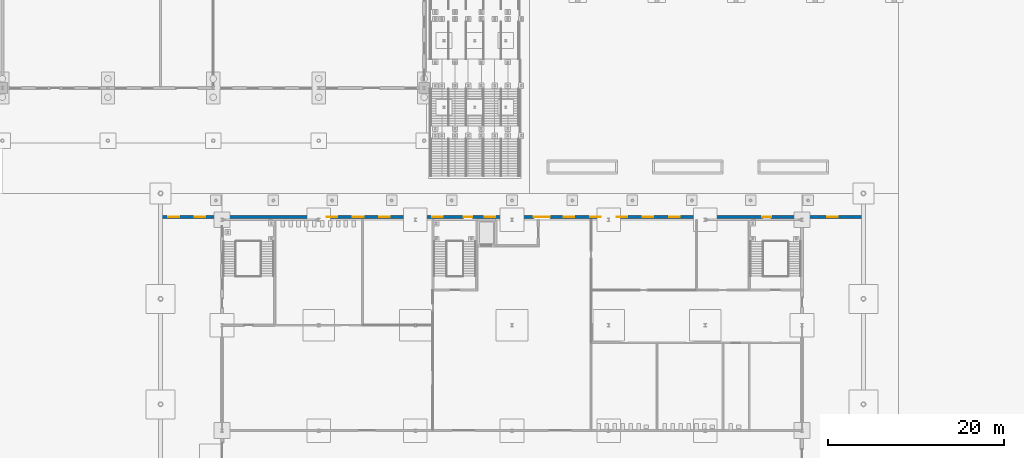
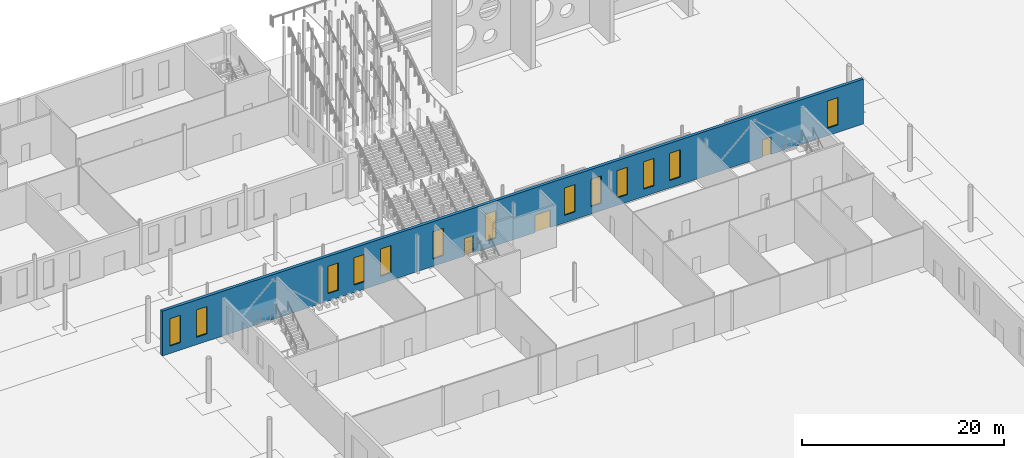
# One storey, part 72 of 132: 13 windows, 3 doors, 1 wall, 16 openings.
"""IFC4 building model written with IfcOpenShell, lengths in metres."""

from ifc_helpers import new_model, si_unit, direction, frame, frame_2d, origin, place, context, subcontext, project, spatial, rectangle, extrude, material, layer, layer_set, type_object, element, fill, save


model = new_model("IFC4")

# Units and contexts
model_context = context("Model", 3, precision=1e-05, world=origin(), true_north=direction((0.0, 1.0)))
body_context = subcontext(model_context, "Body", "Model", "MODEL_VIEW")
ifc_project = project(units=[si_unit("LENGTHUNIT", "METRE"), si_unit("AREAUNIT", "SQUARE_METRE"), si_unit("VOLUMEUNIT", "CUBIC_METRE"), si_unit("PLANEANGLEUNIT", "RADIAN"), si_unit("MASSUNIT", "GRAM", prefix="KILO")], contexts=[model_context])

# Site, building, storey
site_placement = place(None, origin())
site = spatial("IfcSite", under=ifc_project, at=site_placement, CompositionType="ELEMENT")
building_placement = place(site_placement, origin())
building = spatial("IfcBuilding", under=site, at=building_placement, Name="Ravi Spectrum Wholesale Market", CompositionType="ELEMENT")
storey_placement = place(building_placement, origin())
storey = spatial("IfcBuildingStorey", under=building, at=storey_placement, Name="L00", CompositionType="ELEMENT", Elevation=0.0)

# Wall, openings, doors, windows
ifc_material_1 = material(Name="Clinker brickwork", Category="masonry")
ifc_layer = layer(ifc_material_1, 0.340087890625)
ifc_layer_set = layer_set([ifc_layer], Name="Clinker brickwork")
wall_type = type_object("IfcWallType", Name="Brick 340 clinker", PredefinedType="SOLIDWALL", material=ifc_layer_set)
wall_placement = place(storey_placement, frame((30.0, 195.340087890625, 0.0), z_axis=(0.0, 0.0, 1.0), x_axis=(1.0, 0.0, 0.0)))
wall = element("IfcWall", 1, at=wall_placement, inside=storey, type_object=wall_type, Name="Hall gable wall", PredefinedType="SOLIDWALL", context=body_context, shape_type="SweptSolid", body=[
    extrude(rectangle(XDim=80.0, YDim=0.340087890625, at=frame_2d((40.0, 0.0))), origin(), (0.0, 0.0, 1.0), 5.39990234375),
])
opening_1_placement = place(wall_placement, frame((42.5, 0.0, 0.0)))
opening_1 = element("IfcOpeningElement", 2, at=opening_1_placement, cuts=wall, Name="Opening D145", PredefinedType="OPENING", context=body_context, shape_type="SweptSolid", body=[
    extrude(rectangle(XDim=1.800048828125, YDim=2.10009765625, at=frame_2d((0.89990234375, 1.050048828125))), frame((0.0, 0.179931640625, 0.0), z_axis=(0.0, -1.0, 0.0), x_axis=(1.0, 0.0, 0.0)), (0.0, 0.0, 1.0), 0.360107421875),
])
opening_2_placement = place(wall_placement, frame((34.5, 0.0, 0.0)))
opening_2 = element("IfcOpeningElement", 3, at=opening_2_placement, cuts=wall, Name="Opening D147", PredefinedType="OPENING", context=body_context, shape_type="SweptSolid", body=[
    extrude(rectangle(XDim=1.0, YDim=2.10009765625, at=frame_2d((0.5, 1.050048828125))), frame((0.0, 0.179931640625, 0.0), z_axis=(0.0, -1.0, 0.0), x_axis=(1.0, 0.0, 0.0)), (0.0, 0.0, 1.0), 0.360107421875),
])
opening_3_placement = place(wall_placement, frame((68.5, 0.0, 0.0)))
opening_3 = element("IfcOpeningElement", 4, at=opening_3_placement, cuts=wall, Name="Opening D162", PredefinedType="OPENING", context=body_context, shape_type="SweptSolid", body=[
    extrude(rectangle(XDim=1.0, YDim=2.10009765625, at=frame_2d((0.5, 1.050048828125))), frame((0.0, 0.179931640625, 0.0), z_axis=(0.0, -1.0, 0.0), x_axis=(1.0, 0.0, 0.0)), (0.0, 0.0, 1.0), 0.360107421875),
])
opening_4_placement = place(wall_placement, frame((0.89990234375, 0.0, 0.89990234375)))
opening_4 = element("IfcOpeningElement", 5, at=opening_4_placement, cuts=wall, Name="Opening W1040", PredefinedType="OPENING", context=body_context, shape_type="SweptSolid", body=[
    extrude(rectangle(XDim=1.199951171875, YDim=3.300048828125, at=frame_2d((0.60009765625, 1.64990234375))), frame((0.0, 0.179931640625, 0.0), z_axis=(0.0, -1.0, 0.0), x_axis=(1.0, 0.0, 0.0)), (0.0, 0.0, 1.0), 0.360107421875),
])
opening_5_placement = place(wall_placement, frame((3.89990234375, 0.0, 0.89990234375)))
opening_5 = element("IfcOpeningElement", 6, at=opening_5_placement, cuts=wall, Name="Opening W1041", PredefinedType="OPENING", context=body_context, shape_type="SweptSolid", body=[
    extrude(rectangle(XDim=1.199951171875, YDim=3.300048828125, at=frame_2d((0.60009765625, 1.64990234375))), frame((0.0, 0.179931640625, 0.0), z_axis=(0.0, -1.0, 0.0), x_axis=(1.0, 0.0, 0.0)), (0.0, 0.0, 1.0), 0.360107421875),
])
opening_6_placement = place(wall_placement, frame((18.89990234375, 0.0, 0.89990234375)))
opening_6 = element("IfcOpeningElement", 7, at=opening_6_placement, cuts=wall, Name="Opening W1045", PredefinedType="OPENING", context=body_context, shape_type="SweptSolid", body=[
    extrude(rectangle(XDim=1.199951171875, YDim=3.300048828125, at=frame_2d((0.60009765625, 1.64990234375))), frame((0.0, 0.179931640625, 0.0), z_axis=(0.0, -1.0, 0.0), x_axis=(1.0, 0.0, 0.0)), (0.0, 0.0, 1.0), 0.360107421875),
])
opening_7_placement = place(wall_placement, frame((21.89990234375, 0.0, 0.89990234375)))
opening_7 = element("IfcOpeningElement", 8, at=opening_7_placement, cuts=wall, Name="Opening W1046", PredefinedType="OPENING", context=body_context, shape_type="SweptSolid", body=[
    extrude(rectangle(XDim=1.199951171875, YDim=3.300048828125, at=frame_2d((0.60009765625, 1.64990234375))), frame((0.0, 0.179931640625, 0.0), z_axis=(0.0, -1.0, 0.0), x_axis=(1.0, 0.0, 0.0)), (0.0, 0.0, 1.0), 0.360107421875),
])
opening_8_placement = place(wall_placement, frame((24.89990234375, 0.0, 0.89990234375)))
opening_8 = element("IfcOpeningElement", 9, at=opening_8_placement, cuts=wall, Name="Opening W1047", PredefinedType="OPENING", context=body_context, shape_type="SweptSolid", body=[
    extrude(rectangle(XDim=1.199951171875, YDim=3.300048828125, at=frame_2d((0.60009765625, 1.64990234375))), frame((0.0, 0.179931640625, 0.0), z_axis=(0.0, -1.0, 0.0), x_axis=(1.0, 0.0, 0.0)), (0.0, 0.0, 1.0), 0.360107421875),
])
opening_9_placement = place(wall_placement, frame((30.89990234375, 0.0, 0.89990234375)))
opening_9 = element("IfcOpeningElement", 10, at=opening_9_placement, cuts=wall, Name="Opening W1048", PredefinedType="OPENING", context=body_context, shape_type="SweptSolid", body=[
    extrude(rectangle(XDim=1.199951171875, YDim=3.300048828125, at=frame_2d((0.60009765625, 1.64990234375))), frame((0.0, 0.179931640625, 0.0), z_axis=(0.0, -1.0, 0.0), x_axis=(1.0, 0.0, 0.0)), (0.0, 0.0, 1.0), 0.360107421875),
])
opening_10_placement = place(wall_placement, frame((36.89990234375, 0.0, 0.89990234375)))
opening_10 = element("IfcOpeningElement", 11, at=opening_10_placement, cuts=wall, Name="Opening W1049", PredefinedType="OPENING", context=body_context, shape_type="SweptSolid", body=[
    extrude(rectangle(XDim=1.199951171875, YDim=3.300048828125, at=frame_2d((0.60009765625, 1.64990234375))), frame((0.0, 0.179931640625, 0.0), z_axis=(0.0, -1.0, 0.0), x_axis=(1.0, 0.0, 0.0)), (0.0, 0.0, 1.0), 0.360107421875),
])
opening_11_placement = place(wall_placement, frame((45.89990234375, 0.0, 0.89990234375)))
opening_11 = element("IfcOpeningElement", 12, at=opening_11_placement, cuts=wall, Name="Opening W1050", PredefinedType="OPENING", context=body_context, shape_type="SweptSolid", body=[
    extrude(rectangle(XDim=1.199951171875, YDim=3.300048828125, at=frame_2d((0.60009765625, 1.64990234375))), frame((0.0, 0.179931640625, 0.0), z_axis=(0.0, -1.0, 0.0), x_axis=(1.0, 0.0, 0.0)), (0.0, 0.0, 1.0), 0.360107421875),
])
opening_12_placement = place(wall_placement, frame((48.89990234375, 0.0, 0.89990234375)))
opening_12 = element("IfcOpeningElement", 13, at=opening_12_placement, cuts=wall, Name="Opening W1051", PredefinedType="OPENING", context=body_context, shape_type="SweptSolid", body=[
    extrude(rectangle(XDim=1.199951171875, YDim=3.300048828125, at=frame_2d((0.60009765625, 1.64990234375))), frame((0.0, 0.179931640625, 0.0), z_axis=(0.0, -1.0, 0.0), x_axis=(1.0, 0.0, 0.0)), (0.0, 0.0, 1.0), 0.360107421875),
])
opening_13_placement = place(wall_placement, frame((51.89990234375, 0.0, 0.89990234375)))
opening_13 = element("IfcOpeningElement", 14, at=opening_13_placement, cuts=wall, Name="Opening W1052", PredefinedType="OPENING", context=body_context, shape_type="SweptSolid", body=[
    extrude(rectangle(XDim=1.199951171875, YDim=3.300048828125, at=frame_2d((0.60009765625, 1.64990234375))), frame((0.0, 0.179931640625, 0.0), z_axis=(0.0, -1.0, 0.0), x_axis=(1.0, 0.0, 0.0)), (0.0, 0.0, 1.0), 0.360107421875),
])
opening_14_placement = place(wall_placement, frame((54.89990234375, 0.0, 0.89990234375)))
opening_14 = element("IfcOpeningElement", 15, at=opening_14_placement, cuts=wall, Name="Opening W1053", PredefinedType="OPENING", context=body_context, shape_type="SweptSolid", body=[
    extrude(rectangle(XDim=1.199951171875, YDim=3.300048828125, at=frame_2d((0.60009765625, 1.64990234375))), frame((0.0, 0.179931640625, 0.0), z_axis=(0.0, -1.0, 0.0), x_axis=(1.0, 0.0, 0.0)), (0.0, 0.0, 1.0), 0.360107421875),
])
opening_15_placement = place(wall_placement, frame((57.89990234375, 0.0, 0.89990234375)))
opening_15 = element("IfcOpeningElement", 16, at=opening_15_placement, cuts=wall, Name="Opening W1054", PredefinedType="OPENING", context=body_context, shape_type="SweptSolid", body=[
    extrude(rectangle(XDim=1.199951171875, YDim=3.300048828125, at=frame_2d((0.60009765625, 1.64990234375))), frame((0.0, 0.179931640625, 0.0), z_axis=(0.0, -1.0, 0.0), x_axis=(1.0, 0.0, 0.0)), (0.0, 0.0, 1.0), 0.360107421875),
])
opening_16_placement = place(wall_placement, frame((75.89990234375, 0.0, 0.89990234375)))
opening_16 = element("IfcOpeningElement", 17, at=opening_16_placement, cuts=wall, Name="Opening W1056", PredefinedType="OPENING", context=body_context, shape_type="SweptSolid", body=[
    extrude(rectangle(XDim=1.199951171875, YDim=3.300048828125, at=frame_2d((0.60009765625, 1.64990234375))), frame((0.0, 0.179931640625, 0.0), z_axis=(0.0, -1.0, 0.0), x_axis=(1.0, 0.0, 0.0)), (0.0, 0.0, 1.0), 0.360107421875),
])
ifc_material_2 = material(Name="Steel door", Category="steel")
door_type_1 = type_object("IfcDoorType", Name="Double leaf door 1800 x 2100", OperationType="DOUBLE_DOOR_SINGLE_SWING", PredefinedType="DOOR", material=ifc_material_2)
door_1_placement = place(opening_1_placement, origin())
door_1 = element("IfcDoor", 18, at=door_1_placement, inside=storey, type_object=door_type_1, Name="Door D145", OperationType="DOUBLE_DOOR_SINGLE_SWING", OverallHeight=2.10009765625, OverallWidth=1.800048828125, PredefinedType="DOOR", context=body_context, shape_type="SweptSolid", body=[
    extrude(rectangle(XDim=1.800048828125, YDim=2.10009765625, at=frame_2d((0.89990234375, 1.050048828125))), frame((0.0, 0.02490234375, 0.0), z_axis=(0.0, -1.0, 0.0), x_axis=(1.0, 0.0, 0.0)), (0.0, 0.0, 1.0), 0.050048828125),
])
fill(opening_1, door_1)
ifc_material_3 = material(Name="Steel door", Category="steel")
door_type_2 = type_object("IfcDoorType", Name="Pedestrian exit door 1000 x 2100", OperationType="SINGLE_SWING_LEFT", PredefinedType="DOOR", material=ifc_material_3)
door_2_placement = place(opening_2_placement, origin())
door_2 = element("IfcDoor", 19, at=door_2_placement, inside=storey, type_object=door_type_2, Name="Door D147", OperationType="SINGLE_SWING_RIGHT", OverallHeight=2.10009765625, OverallWidth=1.0, PredefinedType="DOOR", context=body_context, shape_type="SweptSolid", body=[
    extrude(rectangle(XDim=1.0, YDim=2.10009765625, at=frame_2d((0.5, 1.050048828125))), frame((0.0, 0.02490234375, 0.0), z_axis=(0.0, -1.0, 0.0), x_axis=(1.0, 0.0, 0.0)), (0.0, 0.0, 1.0), 0.050048828125),
])
fill(opening_2, door_2)
door_3_placement = place(opening_3_placement, origin())
door_3 = element("IfcDoor", 20, at=door_3_placement, inside=storey, type_object=door_type_2, Name="Door D162", OperationType="SINGLE_SWING_LEFT", OverallHeight=2.10009765625, OverallWidth=1.0, PredefinedType="DOOR", context=body_context, shape_type="SweptSolid", body=[
    extrude(rectangle(XDim=1.0, YDim=2.10009765625, at=frame_2d((0.5, 1.050048828125))), frame((0.0, 0.02490234375, 0.0), z_axis=(0.0, -1.0, 0.0), x_axis=(1.0, 0.0, 0.0)), (0.0, 0.0, 1.0), 0.050048828125),
])
fill(opening_3, door_3)
ifc_material_4 = material(Name="Steel window frame", Category="steel")
window_type = type_object("IfcWindowType", Name="Tall pier window 1200 x 3300", PartitioningType="SINGLE_PANEL", PredefinedType="WINDOW", material=ifc_material_4)
window_1_placement = place(opening_4_placement, origin())
window_1 = element("IfcWindow", 21, at=window_1_placement, inside=storey, type_object=window_type, Name="Window W1040", OverallHeight=3.300048828125, OverallWidth=1.199951171875, PartitioningType="SINGLE_PANEL", PredefinedType="WINDOW", context=body_context, shape_type="SweptSolid", body=[
    extrude(rectangle(XDim=1.199951171875, YDim=3.300048828125, at=frame_2d((0.60009765625, 1.64990234375))), frame((0.0, 0.030029296875, 0.0), z_axis=(0.0, -1.0, 0.0), x_axis=(1.0, 0.0, 0.0)), (0.0, 0.0, 1.0), 0.06005859375),
])
fill(opening_4, window_1)
window_2_placement = place(opening_5_placement, origin())
window_2 = element("IfcWindow", 22, at=window_2_placement, inside=storey, type_object=window_type, Name="Window W1041", OverallHeight=3.300048828125, OverallWidth=1.199951171875, PartitioningType="SINGLE_PANEL", PredefinedType="WINDOW", context=body_context, shape_type="SweptSolid", body=[
    extrude(rectangle(XDim=1.199951171875, YDim=3.300048828125, at=frame_2d((0.60009765625, 1.64990234375))), frame((0.0, 0.030029296875, 0.0), z_axis=(0.0, -1.0, 0.0), x_axis=(1.0, 0.0, 0.0)), (0.0, 0.0, 1.0), 0.06005859375),
])
fill(opening_5, window_2)
window_3_placement = place(opening_6_placement, origin())
window_3 = element("IfcWindow", 23, at=window_3_placement, inside=storey, type_object=window_type, Name="Window W1045", OverallHeight=3.300048828125, OverallWidth=1.199951171875, PartitioningType="SINGLE_PANEL", PredefinedType="WINDOW", context=body_context, shape_type="SweptSolid", body=[
    extrude(rectangle(XDim=1.199951171875, YDim=3.300048828125, at=frame_2d((0.60009765625, 1.64990234375))), frame((0.0, 0.030029296875, 0.0), z_axis=(0.0, -1.0, 0.0), x_axis=(1.0, 0.0, 0.0)), (0.0, 0.0, 1.0), 0.06005859375),
])
fill(opening_6, window_3)
window_4_placement = place(opening_7_placement, origin())
window_4 = element("IfcWindow", 24, at=window_4_placement, inside=storey, type_object=window_type, Name="Window W1046", OverallHeight=3.300048828125, OverallWidth=1.199951171875, PartitioningType="SINGLE_PANEL", PredefinedType="WINDOW", context=body_context, shape_type="SweptSolid", body=[
    extrude(rectangle(XDim=1.199951171875, YDim=3.300048828125, at=frame_2d((0.60009765625, 1.64990234375))), frame((0.0, 0.030029296875, 0.0), z_axis=(0.0, -1.0, 0.0), x_axis=(1.0, 0.0, 0.0)), (0.0, 0.0, 1.0), 0.06005859375),
])
fill(opening_7, window_4)
window_5_placement = place(opening_8_placement, origin())
window_5 = element("IfcWindow", 25, at=window_5_placement, inside=storey, type_object=window_type, Name="Window W1047", OverallHeight=3.300048828125, OverallWidth=1.199951171875, PartitioningType="SINGLE_PANEL", PredefinedType="WINDOW", context=body_context, shape_type="SweptSolid", body=[
    extrude(rectangle(XDim=1.199951171875, YDim=3.300048828125, at=frame_2d((0.60009765625, 1.64990234375))), frame((0.0, 0.030029296875, 0.0), z_axis=(0.0, -1.0, 0.0), x_axis=(1.0, 0.0, 0.0)), (0.0, 0.0, 1.0), 0.06005859375),
])
fill(opening_8, window_5)
window_6_placement = place(opening_9_placement, origin())
window_6 = element("IfcWindow", 26, at=window_6_placement, inside=storey, type_object=window_type, Name="Window W1048", OverallHeight=3.300048828125, OverallWidth=1.199951171875, PartitioningType="SINGLE_PANEL", PredefinedType="WINDOW", context=body_context, shape_type="SweptSolid", body=[
    extrude(rectangle(XDim=1.199951171875, YDim=3.300048828125, at=frame_2d((0.60009765625, 1.64990234375))), frame((0.0, 0.030029296875, 0.0), z_axis=(0.0, -1.0, 0.0), x_axis=(1.0, 0.0, 0.0)), (0.0, 0.0, 1.0), 0.06005859375),
])
fill(opening_9, window_6)
window_7_placement = place(opening_10_placement, origin())
window_7 = element("IfcWindow", 27, at=window_7_placement, inside=storey, type_object=window_type, Name="Window W1049", OverallHeight=3.300048828125, OverallWidth=1.199951171875, PartitioningType="SINGLE_PANEL", PredefinedType="WINDOW", context=body_context, shape_type="SweptSolid", body=[
    extrude(rectangle(XDim=1.199951171875, YDim=3.300048828125, at=frame_2d((0.60009765625, 1.64990234375))), frame((0.0, 0.030029296875, 0.0), z_axis=(0.0, -1.0, 0.0), x_axis=(1.0, 0.0, 0.0)), (0.0, 0.0, 1.0), 0.06005859375),
])
fill(opening_10, window_7)
window_8_placement = place(opening_11_placement, origin())
window_8 = element("IfcWindow", 28, at=window_8_placement, inside=storey, type_object=window_type, Name="Window W1050", OverallHeight=3.300048828125, OverallWidth=1.199951171875, PartitioningType="SINGLE_PANEL", PredefinedType="WINDOW", context=body_context, shape_type="SweptSolid", body=[
    extrude(rectangle(XDim=1.199951171875, YDim=3.300048828125, at=frame_2d((0.60009765625, 1.64990234375))), frame((0.0, 0.030029296875, 0.0), z_axis=(0.0, -1.0, 0.0), x_axis=(1.0, 0.0, 0.0)), (0.0, 0.0, 1.0), 0.06005859375),
])
fill(opening_11, window_8)
window_9_placement = place(opening_12_placement, origin())
window_9 = element("IfcWindow", 29, at=window_9_placement, inside=storey, type_object=window_type, Name="Window W1051", OverallHeight=3.300048828125, OverallWidth=1.199951171875, PartitioningType="SINGLE_PANEL", PredefinedType="WINDOW", context=body_context, shape_type="SweptSolid", body=[
    extrude(rectangle(XDim=1.199951171875, YDim=3.300048828125, at=frame_2d((0.60009765625, 1.64990234375))), frame((0.0, 0.030029296875, 0.0), z_axis=(0.0, -1.0, 0.0), x_axis=(1.0, 0.0, 0.0)), (0.0, 0.0, 1.0), 0.06005859375),
])
fill(opening_12, window_9)
window_10_placement = place(opening_13_placement, origin())
window_10 = element("IfcWindow", 30, at=window_10_placement, inside=storey, type_object=window_type, Name="Window W1052", OverallHeight=3.300048828125, OverallWidth=1.199951171875, PartitioningType="SINGLE_PANEL", PredefinedType="WINDOW", context=body_context, shape_type="SweptSolid", body=[
    extrude(rectangle(XDim=1.199951171875, YDim=3.300048828125, at=frame_2d((0.60009765625, 1.64990234375))), frame((0.0, 0.030029296875, 0.0), z_axis=(0.0, -1.0, 0.0), x_axis=(1.0, 0.0, 0.0)), (0.0, 0.0, 1.0), 0.06005859375),
])
fill(opening_13, window_10)
window_11_placement = place(opening_14_placement, origin())
window_11 = element("IfcWindow", 31, at=window_11_placement, inside=storey, type_object=window_type, Name="Window W1053", OverallHeight=3.300048828125, OverallWidth=1.199951171875, PartitioningType="SINGLE_PANEL", PredefinedType="WINDOW", context=body_context, shape_type="SweptSolid", body=[
    extrude(rectangle(XDim=1.199951171875, YDim=3.300048828125, at=frame_2d((0.60009765625, 1.64990234375))), frame((0.0, 0.030029296875, 0.0), z_axis=(0.0, -1.0, 0.0), x_axis=(1.0, 0.0, 0.0)), (0.0, 0.0, 1.0), 0.06005859375),
])
fill(opening_14, window_11)
window_12_placement = place(opening_15_placement, origin())
window_12 = element("IfcWindow", 32, at=window_12_placement, inside=storey, type_object=window_type, Name="Window W1054", OverallHeight=3.300048828125, OverallWidth=1.199951171875, PartitioningType="SINGLE_PANEL", PredefinedType="WINDOW", context=body_context, shape_type="SweptSolid", body=[
    extrude(rectangle(XDim=1.199951171875, YDim=3.300048828125, at=frame_2d((0.60009765625, 1.64990234375))), frame((0.0, 0.030029296875, 0.0), z_axis=(0.0, -1.0, 0.0), x_axis=(1.0, 0.0, 0.0)), (0.0, 0.0, 1.0), 0.06005859375),
])
fill(opening_15, window_12)
window_13_placement = place(opening_16_placement, origin())
window_13 = element("IfcWindow", 33, at=window_13_placement, inside=storey, type_object=window_type, Name="Window W1056", OverallHeight=3.300048828125, OverallWidth=1.199951171875, PartitioningType="SINGLE_PANEL", PredefinedType="WINDOW", context=body_context, shape_type="SweptSolid", body=[
    extrude(rectangle(XDim=1.199951171875, YDim=3.300048828125, at=frame_2d((0.60009765625, 1.64990234375))), frame((0.0, 0.030029296875, 0.0), z_axis=(0.0, -1.0, 0.0), x_axis=(1.0, 0.0, 0.0)), (0.0, 0.0, 1.0), 0.06005859375),
])
fill(opening_16, window_13)

save(model, "model.ifc")
